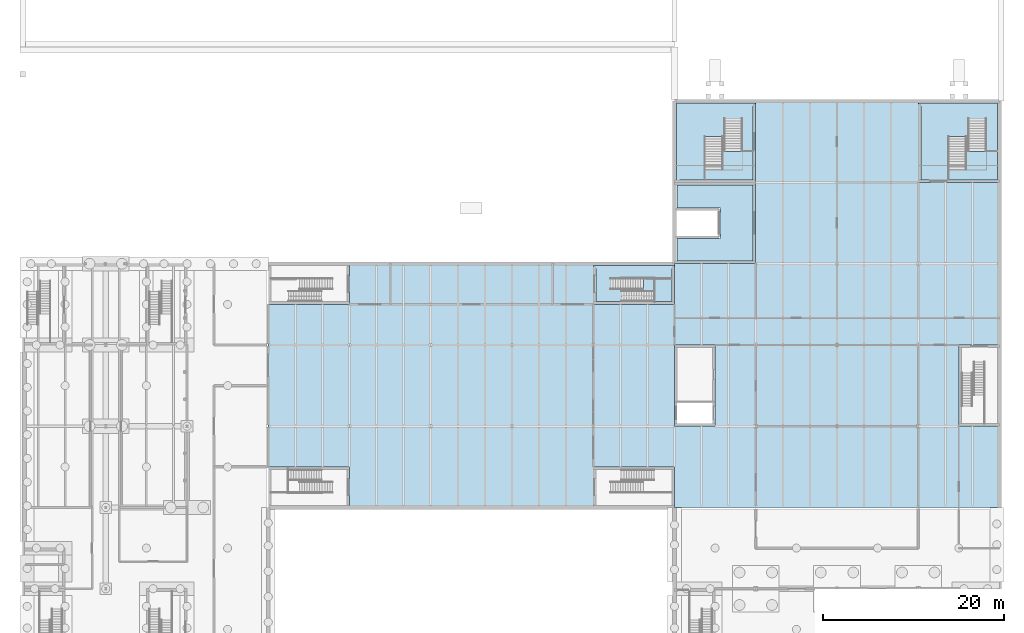
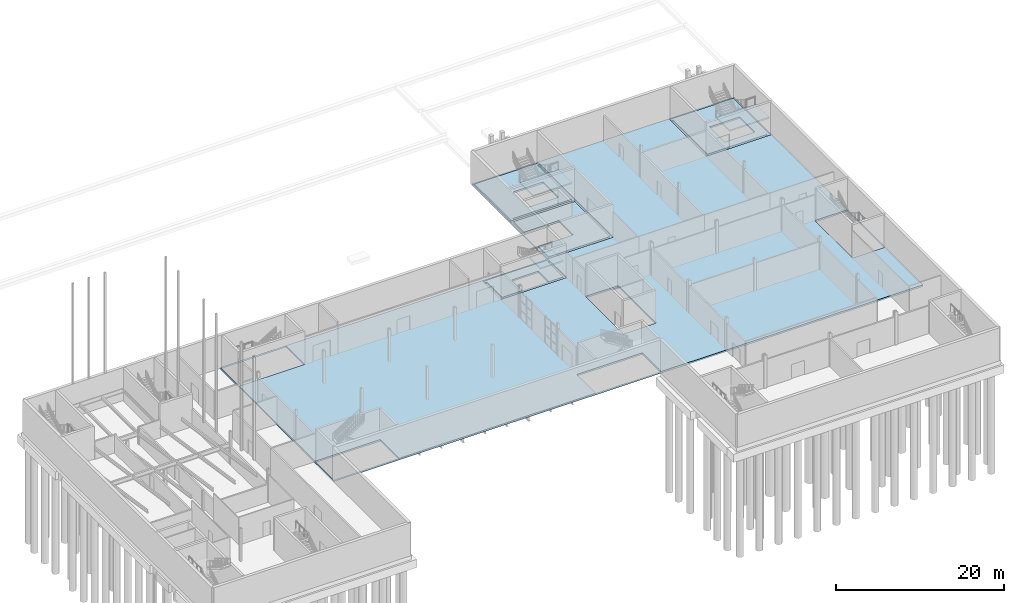
# One storey, part 15 of 31: 8 slabs, 3 elements without a shape of their own.
"""IFC4 building model written with IfcOpenShell, lengths in metres."""

import ifcopenshell
import ifcopenshell.guid

model = None  # the IFC model being written
_history = None  # IfcOwnerHistory: only IFC2X3 demands one
_inside = {}  # id of a spatial element -> (the spatial element, [elements in it])
_under = {}  # id of a project, library or spatial element -> (it, [spatial elements below it])
_declared = {}  # id of a project -> (the project, [libraries it declares])
_typed = {}  # id of a type object -> (the type object, [elements of that type])
_made_of = {}  # id of a material, layer set ... -> (it, [elements and type objects made of it])


def new_model(schema):
    """Start an empty IFC model of exactly this schema.

    Asked for "IFC4X3", IfcOpenShell would pick the latest addendum, in which some entities
    have other attributes; the version numbers below select the first issue.
    IFC2X3 requires an IfcOwnerHistory on every rooted entity: one is made here for all.
    """
    global model, _history
    if schema == "IFC4X3":
        model = ifcopenshell.file(schema_version=(4, 3, 0, 0))
    else:
        model = ifcopenshell.file(schema=schema)
    _inside.clear()
    _under.clear()
    _declared.clear()
    _typed.clear()
    _made_of.clear()
    _history = None
    if model.schema == "IFC2X3":
        org = make("IfcOrganization", Name="unknown")
        user = make(
            "IfcPersonAndOrganization",
            ThePerson=make("IfcPerson", FamilyName="unknown"),
            TheOrganization=org,
        )
        app = make(
            "IfcApplication",
            ApplicationDeveloper=org,
            Version="unknown",
            ApplicationFullName="unknown",
            ApplicationIdentifier="unknown",
        )
        _history = make(
            "IfcOwnerHistory",
            OwningUser=user,
            OwningApplication=app,
            ChangeAction="ADDED",
            CreationDate=0,
        )
    return model


def make(cls, **values):
    """One entity of the class cls with the attributes given. An attribute that is None is left unset."""
    return model.create_entity(
        cls, **{name: value for name, value in values.items() if value is not None}
    )


def rooted(cls, **values):
    """An entity with a GlobalId (a new one), such as an element, a storey or a relation."""
    return make(cls, GlobalId=ifcopenshell.guid.new(), OwnerHistory=_history, **values)


def si_unit(unit_type, name, prefix=None):
    """IfcSIUnit, for example si_unit("LENGTHUNIT", "METRE", prefix="MILLI")."""
    return make("IfcSIUnit", UnitType=unit_type, Prefix=prefix, Name=name)


def assignment(units):
    """IfcUnitAssignment: the units of a project."""
    return None if units is None else make("IfcUnitAssignment", Units=units)


def point(xyz):
    """IfcCartesianPoint."""
    return None if xyz is None else make("IfcCartesianPoint", Coordinates=xyz)


def direction(xyz):
    """IfcDirection."""
    return None if xyz is None else make("IfcDirection", DirectionRatios=xyz)


def frame(location, z_axis=None, x_axis=None):
    """IfcAxis2Placement3D, a coordinate frame: its origin and axes. An axis left out is left unset."""
    return make(
        "IfcAxis2Placement3D",
        Location=point(location),
        Axis=direction(z_axis),
        RefDirection=direction(x_axis),
    )


def origin():
    """The frame at (0, 0, 0) with its axes left unset."""
    return frame((0.0, 0.0, 0.0))


def place(relative_to, where):
    """IfcLocalPlacement: puts the frame where relative to a parent placement (None: the world)."""
    return make(
        "IfcLocalPlacement", PlacementRelTo=relative_to, RelativePlacement=where
    )


def context(
    kind, dimensions, precision=None, world=None, true_north=None, identifier=None
):
    """IfcGeometricRepresentationContext, for example the 3D "Model" context."""
    return make(
        "IfcGeometricRepresentationContext",
        ContextIdentifier=identifier,
        ContextType=kind,
        CoordinateSpaceDimension=dimensions,
        Precision=precision,
        WorldCoordinateSystem=world,
        TrueNorth=true_north,
    )


def subcontext(parent, identifier, kind, view, scale=None):
    """IfcGeometricRepresentationSubContext, for example "Body" below "Model"."""
    return make(
        "IfcGeometricRepresentationSubContext",
        ContextIdentifier=identifier,
        ContextType=kind,
        ParentContext=parent,
        TargetScale=scale,
        TargetView=view,
    )


def project(units=None, contexts=None):
    """IfcProject with its units and contexts."""
    return rooted(
        "IfcProject",
        Name="project",
        RepresentationContexts=contexts,
        UnitsInContext=assignment(units),
    )


def spatial(cls, under=None, at=None, **own):
    """A site, building, storey or space (cls), placed at a placement, below another one or the project."""
    s = rooted(cls, ObjectPlacement=at, **own)
    if under is not None:
        _under.setdefault(under.id(), (under, []))[1].append(s)
    return s


def polyline(points):
    """IfcPolyline through the points."""
    return make("IfcPolyline", Points=[point(p) for p in points])


def outline(outer, holes=None, kind="AREA"):
    """IfcArbitraryClosedProfileDef: a profile drawn as a closed curve; with holes, ...WithVoids."""
    if holes is None:
        return make("IfcArbitraryClosedProfileDef", ProfileType=kind, OuterCurve=outer)
    return make(
        "IfcArbitraryProfileDefWithVoids",
        ProfileType=kind,
        OuterCurve=outer,
        InnerCurves=holes,
    )


def extrude(swept, where, along, depth):
    """IfcExtrudedAreaSolid: the profile swept, set in the frame where, extruded along a direction by depth."""
    return make(
        "IfcExtrudedAreaSolid",
        SweptArea=swept,
        Position=where,
        ExtrudedDirection=direction(along),
        Depth=depth,
    )


def shape(context_of_items, identifier, shape_type, items):
    """IfcShapeRepresentation: the items that make up one representation, for example the "Body"."""
    return make(
        "IfcShapeRepresentation",
        ContextOfItems=context_of_items,
        RepresentationIdentifier=identifier,
        RepresentationType=shape_type,
        Items=items,
    )


def material(Name=None, Category=None):
    """IfcMaterial."""
    return make("IfcMaterial", Name=Name, Category=Category)


def layer(
    of_material, thickness, ventilated=None, Name=None, Category=None, Priority=None
):
    """IfcMaterialLayer: one layer of a wall or slab, of a material (None: an air gap)."""
    return make(
        "IfcMaterialLayer",
        Material=of_material,
        LayerThickness=thickness,
        IsVentilated=ventilated,
        Name=Name,
        Category=Category,
        Priority=Priority,
    )


def layer_set(layers, Name=None):
    """IfcMaterialLayerSet."""
    return make("IfcMaterialLayerSet", MaterialLayers=layers, LayerSetName=Name)


def made_of(thing, what):
    """Note that an element or type object is made of a material, layer set ...; save() writes the relation."""
    if what is not None:
        _made_of.setdefault(what.id(), (what, []))[1].append(thing)
    return thing


def type_object(cls, material=None, **own):
    """A type object (cls), such as IfcWallType, which elements share."""
    return made_of(rooted(cls, **own), material)


def element(
    cls,
    number,
    at=None,
    inside=None,
    cuts=None,
    type_object=None,
    material=None,
    context=None,
    identifier="Body",
    shape_type=None,
    held_by="IfcProductDefinitionShape",
    body=None,
    shapes=None,
    **own,
):
    """One element of the class cls, such as IfcWall. Its Tag is "e" and its number.

    at: its placement. inside: the storey or other place that contains it. cuts: it is an
    opening in that element (IfcRelVoidsElement). A single representation is given by context,
    identifier, shape_type and body (its items); several are given by shapes. held_by: the class
    of the entity that holds the representations. save() writes the other relations.
    """
    e = rooted(cls, Tag="e%d" % number, ObjectPlacement=at, **own)
    if body is not None:
        shapes = [shape(context, identifier, shape_type, body)]
    if shapes is not None:
        e.Representation = make(held_by, Representations=shapes)
    if inside is not None:
        _inside.setdefault(inside.id(), (inside, []))[1].append(e)
    if cuts is not None:
        rooted(
            "IfcRelVoidsElement", RelatingBuildingElement=cuts, RelatedOpeningElement=e
        )
    if type_object is not None:
        _typed.setdefault(type_object.id(), (type_object, []))[1].append(e)
    return made_of(e, material)


def aggregate(whole, parts):
    """IfcRelAggregates: a whole, such as a stair, and the parts it consists of."""
    return rooted("IfcRelAggregates", RelatingObject=whole, RelatedObjects=parts)


def save(model, path):
    """Write the relations noted so far, then the file.

    IfcRelAggregates (storeys below a building ...), IfcRelContainedInSpatialStructure (elements
    in a storey), IfcRelDefinesByType, IfcRelAssociatesMaterial and IfcRelDeclares: one each for
    every whole, place, type object, material and project.
    """
    for whole, parts in _under.values():
        aggregate(whole, parts)
    for where, things in _inside.values():
        rooted(
            "IfcRelContainedInSpatialStructure",
            RelatedElements=things,
            RelatingStructure=where,
        )
    for kind, things in _typed.values():
        rooted("IfcRelDefinesByType", RelatedObjects=things, RelatingType=kind)
    for what, things in _made_of.values():
        rooted("IfcRelAssociatesMaterial", RelatedObjects=things, RelatingMaterial=what)
    for by, libraries in _declared.values():
        rooted("IfcRelDeclares", RelatingContext=by, RelatedDefinitions=libraries)
    model.write(path)


model = new_model("IFC4")

# Units and contexts
model_context = context("Model", 3, precision=1e-05, world=origin(), true_north=direction((0.0, 1.0)))
body_context = subcontext(model_context, "Body", "Model", "MODEL_VIEW")
ifc_project = project(units=[si_unit("LENGTHUNIT", "METRE"), si_unit("AREAUNIT", "SQUARE_METRE"), si_unit("VOLUMEUNIT", "CUBIC_METRE"), si_unit("PLANEANGLEUNIT", "RADIAN"), si_unit("MASSUNIT", "GRAM", prefix="KILO")], contexts=[model_context])

# Site, building, storey
site_placement = place(None, origin())
site = spatial("IfcSite", under=ifc_project, at=site_placement, CompositionType="ELEMENT")
building_placement = place(site_placement, origin())
building = spatial("IfcBuilding", under=site, at=building_placement, Name="Halyard Row Museum", CompositionType="ELEMENT")
storey_placement = place(building_placement, frame((0.0, 0.0, -4.800048828125)))
storey = spatial("IfcBuildingStorey", under=building, at=storey_placement, Name="B1", CompositionType="ELEMENT", Elevation=-4.800048828125)

# Slabs
ifc_material_1 = material(Name="Concrete 40 MPa", Category="concrete")
ifc_layer_1 = layer(ifc_material_1, 0.25)
ifc_layer_set_1 = layer_set([ifc_layer_1], Name="Concrete 40 MPa")
slab_type_1 = type_object("IfcSlabType", Name="Composite floor slab heavy duty", PredefinedType="FLOOR", material=ifc_layer_set_1)
slab_1_placement = place(storey_placement, frame((0.0, 0.0, -0.25)))
element("IfcSlab", 1, at=slab_1_placement, inside=storey, type_object=slab_type_1, Name="Floor slab B1-01", PredefinedType="FLOOR", context=body_context, shape_type="SweptSolid", body=[
    extrude(outline(polyline([(108.0, 63.0), (72.0, 63.0), (72.0, 45.0), (27.0, 45.0), (27.0, 18.0), (108.0, 18.0), (108.0, 63.0)]), holes=[polyline([(35.9951171875, 18.0048828125), (27.0048828125, 18.0048828125), (27.0048828125, 22.4951171875), (35.9951171875, 22.4951171875), (35.9951171875, 18.0048828125)]), polyline([(71.9951171875, 18.0048828125), (63.0048828125, 18.0048828125), (63.0048828125, 22.4951171875), (71.9951171875, 22.4951171875), (71.9951171875, 18.0048828125)]), polyline([(76.4951171875, 27.0048828125), (72.0048828125, 27.0048828125), (72.0048828125, 35.9951171875), (76.4951171875, 35.9951171875), (76.4951171875, 27.0048828125)]), polyline([(107.9951171875, 27.0048828125), (103.5048828125, 27.0048828125), (103.5048828125, 35.9951171875), (107.9951171875, 35.9951171875), (107.9951171875, 27.0048828125)]), polyline([(35.9951171875, 40.5048828125), (27.0048828125, 40.5048828125), (27.0048828125, 44.9951171875), (35.9951171875, 44.9951171875), (35.9951171875, 40.5048828125)]), polyline([(71.9951171875, 40.5048828125), (63.0048828125, 40.5048828125), (63.0048828125, 44.9951171875), (71.9951171875, 44.9951171875), (71.9951171875, 40.5048828125)]), polyline([(80.9951171875, 45.0048828125), (72.0048828125, 45.0048828125), (72.0048828125, 53.9951171875), (80.9951171875, 53.9951171875), (80.9951171875, 45.0048828125)]), polyline([(72.0048828125, 54.0048828125), (72.0048828125, 62.9951171875), (80.9951171875, 62.9951171875), (80.9951171875, 54.0048828125), (72.0048828125, 54.0048828125)]), polyline([(99.0048828125, 54.0048828125), (99.0048828125, 62.9951171875), (107.9951171875, 62.9951171875), (107.9951171875, 54.0048828125), (99.0048828125, 54.0048828125)])]), origin(), (0.0, 0.0, 1.0), 0.25),
])
ifc_material_2 = material(Name="Concrete 40 MPa", Category="concrete")
ifc_layer_2 = layer(ifc_material_2, 0.25)
ifc_layer_set_2 = layer_set([ifc_layer_2], Name="Concrete 40 MPa")
slab_type_2 = type_object("IfcSlabType", Name="Core floor slab 250", PredefinedType="FLOOR", material=ifc_layer_set_2)
slab_2_placement = place(storey_placement, frame((0.0, 0.0, -0.25)))
element("IfcSlab", 2, at=slab_2_placement, inside=storey, type_object=slab_type_2, Name="Core floor K1B B1", PredefinedType="FLOOR", context=body_context, shape_type="SweptSolid", body=[
    extrude(outline(polyline([(63.300048828125, 40.800048828125), (71.699951171875, 40.800048828125), (71.699951171875, 44.449951171875), (71.9951171875, 44.449951171875), (71.9951171875, 44.800048828125), (63.0048828125, 44.800048828125), (63.0048828125, 44.449951171875), (63.300048828125, 44.449951171875), (63.300048828125, 40.800048828125)]), holes=[polyline([(69.737060546875, 43.346923828125), (69.737060546875, 40.802978515625), (66.10302734375, 40.802978515625), (66.10302734375, 43.346923828125), (69.737060546875, 43.346923828125)])]), origin(), (0.0, 0.0, 1.0), 0.25),
])
slab_3_placement = place(storey_placement, frame((0.0, 0.0, -0.25)))
element("IfcSlab", 3, at=slab_3_placement, inside=storey, type_object=slab_type_2, Name="Core floor K5A B1", PredefinedType="FLOOR", context=body_context, shape_type="SweptSolid", body=[
    extrude(outline(polyline([(72.199951171875, 62.800048828125), (72.199951171875, 54.0048828125), (72.550048828125, 54.0048828125), (72.550048828125, 54.300048828125), (80.699951171875, 54.300048828125), (80.699951171875, 62.449951171875), (80.9951171875, 62.449951171875), (80.9951171875, 62.800048828125), (72.199951171875, 62.800048828125)]), holes=[polyline([(79.4970703125, 55.462890625), (75.35302734375, 55.462890625), (75.35302734375, 59.096923828125), (79.4970703125, 59.096923828125), (79.4970703125, 55.462890625)])]), origin(), (0.0, 0.0, 1.0), 0.25),
])
slab_4_placement = place(storey_placement, frame((0.0, 0.0, -0.25)))
element("IfcSlab", 4, at=slab_4_placement, inside=storey, type_object=slab_type_2, Name="Core floor K5B B1", PredefinedType="FLOOR", context=body_context, shape_type="SweptSolid", body=[
    extrude(outline(polyline([(107.800048828125, 62.800048828125), (99.0048828125, 62.800048828125), (99.0048828125, 62.449951171875), (99.300048828125, 62.449951171875), (99.300048828125, 54.300048828125), (107.449951171875, 54.300048828125), (107.449951171875, 54.0048828125), (107.800048828125, 54.0048828125), (107.800048828125, 62.800048828125)]), holes=[polyline([(106.4970703125, 55.462890625), (102.35302734375, 55.462890625), (102.35302734375, 59.096923828125), (106.4970703125, 59.096923828125), (106.4970703125, 55.462890625)])]), origin(), (0.0, 0.0, 1.0), 0.25),
])
slab_5_placement = place(storey_placement, frame((0.0, 0.0, -0.25)))
element("IfcSlab", 5, at=slab_5_placement, inside=storey, type_object=slab_type_2, Name="Core floor K8 B1", PredefinedType="FLOOR", context=body_context, shape_type="SweptSolid", body=[
    extrude(outline(polyline([(80.699951171875, 53.699951171875), (72.300048828125, 53.699951171875), (72.300048828125, 51.199951171875), (77.10009765625, 51.199951171875), (77.10009765625, 47.800048828125), (72.300048828125, 47.800048828125), (72.300048828125, 45.300048828125), (80.699951171875, 45.300048828125), (80.699951171875, 53.699951171875)])), origin(), (0.0, 0.0, 1.0), 0.25),
])

# Stair, slab
ifc_material_3 = material(Name="Concrete 40 MPa", Category="concrete")
stair_type_1 = type_object("IfcStairType", Name="Exit stair two flights 1200", PredefinedType="HALF_TURN_STAIR", material=ifc_material_3)
stair_1_placement = place(storey_placement, origin())
stair_1 = element("IfcStair", 6, at=stair_1_placement, inside=storey, type_object=stair_type_1, Name="Exit stair K1B B1", PredefinedType="HALF_TURN_STAIR")
ifc_material_4 = material(Name="Concrete 40 MPa", Category="concrete")
ifc_layer_3 = layer(ifc_material_4, 0.199951171875)
ifc_layer_set_3 = layer_set([ifc_layer_3], Name="Concrete 40 MPa")
slab_type_3 = type_object("IfcSlabType", Name="Exit stair landing 200", PredefinedType="LANDING", material=ifc_layer_set_3)
slab_6_placement = place(storey_placement, frame((0.0, 0.0, 2.199951171875)))
slab_6 = element("IfcSlab", 7, at=slab_6_placement, type_object=slab_type_3, Name="STK1B-B1 landing 1", PredefinedType="LANDING", context=body_context, shape_type="SweptSolid", body=[
    extrude(outline(polyline([(68.5400390625, 43.35009765625), (68.5400390625, 40.800048828125), (71.699951171875, 40.800048828125), (71.699951171875, 43.35009765625), (68.5400390625, 43.35009765625)])), origin(), (0.0, 0.0, 1.0), 0.2001953125),
])
aggregate(stair_1, [slab_6])

ifc_material_5 = material(Name="Concrete 40 MPa", Category="concrete")
stair_type_2 = type_object("IfcStairType", Name="Exit stair two flights 2000", PredefinedType="HALF_TURN_STAIR", material=ifc_material_5)
stair_2_placement = place(storey_placement, origin())
stair_2 = element("IfcStair", 8, at=stair_2_placement, inside=storey, type_object=stair_type_2, Name="Exit stair K5A B1", PredefinedType="HALF_TURN_STAIR")
slab_7_placement = place(storey_placement, frame((0.0, 0.0, 2.199951171875)))
slab_7 = element("IfcSlab", 9, at=slab_7_placement, type_object=slab_type_3, Name="STK5A-B1 landing 1", PredefinedType="LANDING", context=body_context, shape_type="SweptSolid", body=[
    extrude(outline(polyline([(80.699951171875, 57.4599609375), (75.35009765625, 57.4599609375), (75.35009765625, 54.300048828125), (80.699951171875, 54.300048828125), (80.699951171875, 57.4599609375)])), origin(), (0.0, 0.0, 1.0), 0.2001953125),
])
aggregate(stair_2, [slab_7])

stair_3_placement = place(storey_placement, origin())
stair_3 = element("IfcStair", 10, at=stair_3_placement, inside=storey, type_object=stair_type_2, Name="Exit stair K5B B1", PredefinedType="HALF_TURN_STAIR")
slab_8_placement = place(storey_placement, frame((0.0, 0.0, 2.199951171875)))
slab_8 = element("IfcSlab", 11, at=slab_8_placement, type_object=slab_type_3, Name="STK5B-B1 landing 1", PredefinedType="LANDING", context=body_context, shape_type="SweptSolid", body=[
    extrude(outline(polyline([(102.35009765625, 54.300048828125), (102.35009765625, 57.4599609375), (107.800048828125, 57.4599609375), (107.800048828125, 54.300048828125), (102.35009765625, 54.300048828125)])), origin(), (0.0, 0.0, 1.0), 0.2001953125),
])
aggregate(stair_3, [slab_8])

save(model, "model.ifc")
